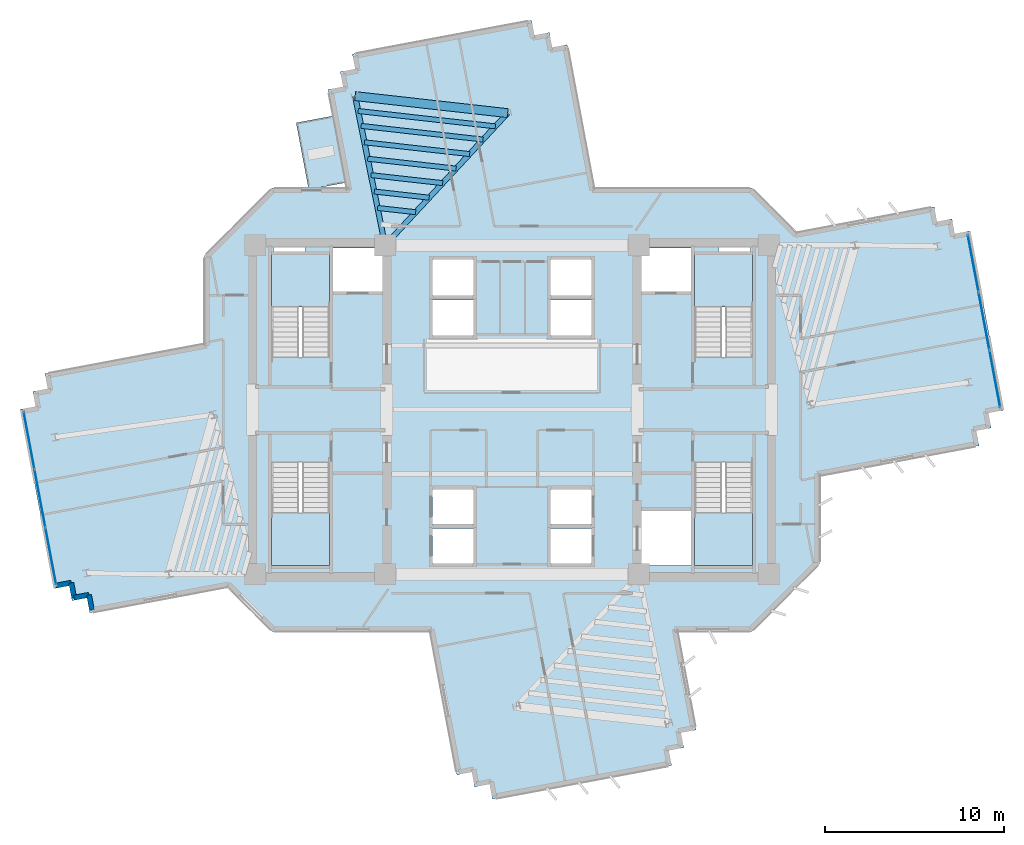
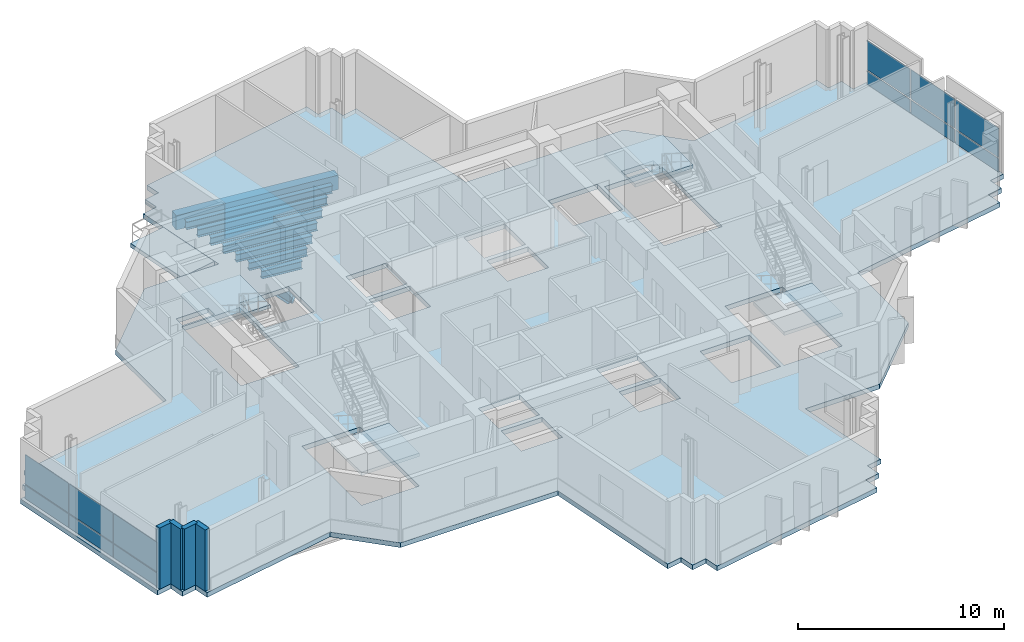
# One storey, part 7 of 16: 12 plates, 10 beams, 6 slabs, 4 walls, 6 elements without a shape of their own.
"""IFC4 building model written with IfcOpenShell, lengths in metres."""

from ifc_helpers import new_model, si_unit, direction, frame, frame_2d, origin, origin_2d, place, context, subcontext, project, spatial, polyline, rectangle, i_section, outline, extrude, source, transform, mapped, material, layer, layer_set, material_profile, profile_set, type_object, element, aggregate, save


model = new_model("IFC4")

# Units and contexts
model_context = context("Model", 3, precision=1e-05, world=origin(), true_north=direction((0.0, 1.0)))
body_context = subcontext(model_context, "Body", "Model", "MODEL_VIEW")
ifc_project = project(units=[si_unit("LENGTHUNIT", "METRE"), si_unit("AREAUNIT", "SQUARE_METRE"), si_unit("VOLUMEUNIT", "CUBIC_METRE"), si_unit("PLANEANGLEUNIT", "RADIAN"), si_unit("MASSUNIT", "GRAM", prefix="KILO")], contexts=[model_context])

# Site, building, storey
site_placement = place(None, origin())
site = spatial("IfcSite", under=ifc_project, at=site_placement, CompositionType="ELEMENT")
building_placement = place(site_placement, origin())
building = spatial("IfcBuilding", under=site, at=building_placement, Name="Zahravan Cultural Tower", CompositionType="ELEMENT")
storey_placement = place(building_placement, frame((0.0, 0.0, 155.10009765625)))
storey = spatial("IfcBuildingStorey", under=building, at=storey_placement, Name="L35", CompositionType="ELEMENT", Elevation=155.10009765625)

# Beams
ifc_material_1 = material(Name="Concrete C50/60", Category="concrete")
ifc_material_profile_1 = material_profile(ifc_material_1, rectangle(XDim=0.5, YDim=0.85009765625, at=origin_2d()), Name="RC500X850")
ifc_profile_set_1 = profile_set([ifc_material_profile_1], Name="Concrete C50/60")
beam_type_1 = type_object("IfcBeamType", Name="BM-SP-RC500X850", PredefinedType="SPANDREL", material=ifc_profile_set_1)
shared_shape_1 = source(origin(), body_context, "Body", "SweptSolid", [
    extrude(rectangle(XDim=0.5, YDim=0.85009765625, at=origin_2d()), origin(), (0.0, 0.0, 1.0), 8.579833984375),
])
beam_1_placement = place(storey_placement, frame((35.754638671875, 43.587646484375, -0.705078125), z_axis=(-0.9938040105, 0.11114669907, 0.0), x_axis=(-0.11114669907, -0.9938040105, 0.0)))
element("IfcBeam", 1, at=beam_1_placement, inside=storey, type_object=beam_type_1, Name="L35 Beam SP-L35-22", PredefinedType="SPANDREL", context=body_context, shape_type="MappedRepresentation", body=[
    mapped(shared_shape_1, transform((0.0, 0.0, 0.0), x_axis=(1.0, 0.0, 0.0), y_axis=(0.0, 1.0, 0.0), z_axis=(0.0, 0.0, 1.0), scale=1.0)),
])
ifc_material_2 = material(Name="Steel ASTM A992 Grade 50", Category="steel")
ifc_material_profile_2 = material_profile(ifc_material_2, i_section(OverallWidth=0.29296875, OverallDepth=0.845947265625, WebThickness=0.015380859375, FlangeThickness=0.0244140625, FilletRadius=0.02001953125, at=origin_2d()), Name="W33X141")
ifc_profile_set_2 = profile_set([ifc_material_profile_2], Name="Steel ASTM A992 Grade 50")
beam_type_2 = type_object("IfcBeamType", Name="BM-G-W33X141", PredefinedType="BEAM", material=ifc_profile_set_2)
shared_shape_2 = source(origin(), body_context, "Body", "SweptSolid", [
    extrude(i_section(OverallWidth=0.29296875, OverallDepth=0.845947265625, WebThickness=0.015380859375, FlangeThickness=0.0244140625, FilletRadius=0.02001953125, at=origin_2d()), origin(), (0.0, 0.0, 1.0), 10.077880859375),
])
beam_2_placement = place(storey_placement, frame((28.89990234375, 36.199951171875, -0.703125), z_axis=(0.680170435587, 0.733054007938, 0.0), x_axis=(-0.733054007938, 0.680170435587, 0.0)))
element("IfcBeam", 2, at=beam_2_placement, inside=storey, type_object=beam_type_2, Name="L35 Beam BG-L35-13", PredefinedType="BEAM", context=body_context, shape_type="MappedRepresentation", body=[
    mapped(shared_shape_2, transform((0.0, 0.0, 0.0), x_axis=(1.0, 0.0, 0.0), y_axis=(0.0, 1.0, 0.0), z_axis=(0.0, 0.0, 1.0), scale=1.0)),
])
shared_shape_3 = source(origin(), body_context, "Body", "SweptSolid", [
    extrude(i_section(OverallWidth=0.29296875, OverallDepth=0.845947265625, WebThickness=0.015380859375, FlangeThickness=0.0244140625, FilletRadius=0.02001953125, at=origin_2d()), origin(), (0.0, 0.0, 1.0), 8.50732421875),
])
beam_3_placement = place(storey_placement, frame((28.89990234375, 36.199951171875, -0.703125), z_axis=(-0.196524514012, 0.980498911469, 0.0), x_axis=(-0.980498911469, -0.196524514012, 0.0)))
element("IfcBeam", 3, at=beam_3_placement, inside=storey, type_object=beam_type_2, Name="L35 Beam BG-L35-14", PredefinedType="BEAM", context=body_context, shape_type="MappedRepresentation", body=[
    mapped(shared_shape_3, transform((0.0, 0.0, 0.0), x_axis=(1.0, 0.0, 0.0), y_axis=(0.0, 1.0, 0.0), z_axis=(0.0, 0.0, 1.0), scale=1.0)),
])
ifc_material_profile_3 = material_profile(ifc_material_2, i_section(OverallWidth=0.280029296875, OverallDepth=0.462890625, WebThickness=0.0107421875, FlangeThickness=0.017333984375, FilletRadius=0.012939453125, at=origin_2d()), Name="W18X76")
ifc_profile_set_3 = profile_set([ifc_material_profile_3], Name="Steel ASTM A992 Grade 50")
beam_type_3 = type_object("IfcBeamType", Name="BM-J-W18X76", PredefinedType="JOIST", material=ifc_profile_set_3)
shared_shape_4 = source(origin(), body_context, "Body", "SweptSolid", [
    extrude(i_section(OverallWidth=0.280029296875, OverallDepth=0.462890625, WebThickness=0.0107421875, FlangeThickness=0.017333984375, FilletRadius=0.012939453125, at=origin_2d()), origin(), (0.0, 0.0, 1.0), 2.144775390625),
])
beam_4_placement = place(storey_placement, frame((30.613525390625, 38.046875, -0.51171875), z_axis=(-0.993797370806, 0.111206051, 0.0), x_axis=(-0.111206051, -0.993797370806, 0.0)))
element("IfcBeam", 4, at=beam_4_placement, inside=storey, type_object=beam_type_3, Name="L35 Beam BJ-L35-51", PredefinedType="JOIST", context=body_context, shape_type="MappedRepresentation", body=[
    mapped(shared_shape_4, transform((0.0, 0.0, 0.0), x_axis=(1.0, 0.0, 0.0), y_axis=(0.0, 1.0, 0.0), z_axis=(0.0, 0.0, 1.0), scale=1.0)),
])
shared_shape_5 = source(origin(), body_context, "Body", "SweptSolid", [
    extrude(i_section(OverallWidth=0.280029296875, OverallDepth=0.462890625, WebThickness=0.0107421875, FlangeThickness=0.017333984375, FilletRadius=0.012939453125, at=origin_2d()), origin(), (0.0, 0.0, 1.0), 3.088623046875),
])
beam_5_placement = place(storey_placement, frame((31.36767578125, 38.859619140625, -0.51171875), z_axis=(-0.993805407368, 0.111134208443, 0.0), x_axis=(-0.111134208443, -0.993805407368, 0.0)))
element("IfcBeam", 5, at=beam_5_placement, inside=storey, type_object=beam_type_3, Name="L35 Beam BJ-L35-52", PredefinedType="JOIST", context=body_context, shape_type="MappedRepresentation", body=[
    mapped(shared_shape_5, transform((0.0, 0.0, 0.0), x_axis=(1.0, 0.0, 0.0), y_axis=(0.0, 1.0, 0.0), z_axis=(0.0, 0.0, 1.0), scale=1.0)),
])
shared_shape_6 = source(origin(), body_context, "Body", "SweptSolid", [
    extrude(i_section(OverallWidth=0.280029296875, OverallDepth=0.462890625, WebThickness=0.0107421875, FlangeThickness=0.017333984375, FilletRadius=0.012939453125, at=origin_2d()), origin(), (0.0, 0.0, 1.0), 4.0322265625),
])
beam_6_placement = place(storey_placement, frame((32.12158203125, 39.672119140625, -0.51171875), z_axis=(-0.993802245601, 0.11116247855, 0.0), x_axis=(-0.11116247855, -0.993802245601, 0.0)))
element("IfcBeam", 6, at=beam_6_placement, inside=storey, type_object=beam_type_3, Name="L35 Beam BJ-L35-53", PredefinedType="JOIST", context=body_context, shape_type="MappedRepresentation", body=[
    mapped(shared_shape_6, transform((0.0, 0.0, 0.0), x_axis=(1.0, 0.0, 0.0), y_axis=(0.0, 1.0, 0.0), z_axis=(0.0, 0.0, 1.0), scale=1.0)),
])
shared_shape_7 = source(origin(), body_context, "Body", "SweptSolid", [
    extrude(i_section(OverallWidth=0.280029296875, OverallDepth=0.462890625, WebThickness=0.0107421875, FlangeThickness=0.017333984375, FilletRadius=0.012939453125, at=origin_2d()), origin(), (0.0, 0.0, 1.0), 4.97607421875),
])
beam_7_placement = place(storey_placement, frame((32.875732421875, 40.48486328125, -0.51171875), z_axis=(-0.993806308517, 0.111126149723, 0.0), x_axis=(-0.111126149723, -0.993806308517, 0.0)))
element("IfcBeam", 7, at=beam_7_placement, inside=storey, type_object=beam_type_3, Name="L35 Beam BJ-L35-54", PredefinedType="JOIST", context=body_context, shape_type="MappedRepresentation", body=[
    mapped(shared_shape_7, transform((0.0, 0.0, 0.0), x_axis=(1.0, 0.0, 0.0), y_axis=(0.0, 1.0, 0.0), z_axis=(0.0, 0.0, 1.0), scale=1.0)),
])
shared_shape_8 = source(origin(), body_context, "Body", "SweptSolid", [
    extrude(i_section(OverallWidth=0.280029296875, OverallDepth=0.462890625, WebThickness=0.0107421875, FlangeThickness=0.017333984375, FilletRadius=0.012939453125, at=origin_2d()), origin(), (0.0, 0.0, 1.0), 5.919921875),
])
beam_8_placement = place(storey_placement, frame((33.629638671875, 41.29736328125, -0.51171875), z_axis=(-0.993804520866, 0.111142135602, 0.0), x_axis=(-0.111142135602, -0.993804520866, 0.0)))
element("IfcBeam", 8, at=beam_8_placement, inside=storey, type_object=beam_type_3, Name="L35 Beam BJ-L35-55", PredefinedType="JOIST", context=body_context, shape_type="MappedRepresentation", body=[
    mapped(shared_shape_8, transform((0.0, 0.0, 0.0), x_axis=(1.0, 0.0, 0.0), y_axis=(0.0, 1.0, 0.0), z_axis=(0.0, 0.0, 1.0), scale=1.0)),
])
shared_shape_9 = source(origin(), body_context, "Body", "SweptSolid", [
    extrude(i_section(OverallWidth=0.280029296875, OverallDepth=0.462890625, WebThickness=0.0107421875, FlangeThickness=0.017333984375, FilletRadius=0.012939453125, at=origin_2d()), origin(), (0.0, 0.0, 1.0), 6.86376953125),
])
beam_9_placement = place(storey_placement, frame((34.3837890625, 42.110107421875, -0.51171875), z_axis=(-0.993803224695, 0.111153725024, 0.0), x_axis=(-0.111153725024, -0.993803224695, 0.0)))
element("IfcBeam", 9, at=beam_9_placement, inside=storey, type_object=beam_type_3, Name="L35 Beam BJ-L35-56", PredefinedType="JOIST", context=body_context, shape_type="MappedRepresentation", body=[
    mapped(shared_shape_9, transform((0.0, 0.0, 0.0), x_axis=(1.0, 0.0, 0.0), y_axis=(0.0, 1.0, 0.0), z_axis=(0.0, 0.0, 1.0), scale=1.0)),
])
shared_shape_10 = source(origin(), body_context, "Body", "SweptSolid", [
    extrude(i_section(OverallWidth=0.280029296875, OverallDepth=0.462890625, WebThickness=0.0107421875, FlangeThickness=0.017333984375, FilletRadius=0.012939453125, at=origin_2d()), origin(), (0.0, 0.0, 1.0), 7.7216796875),
])
beam_10_placement = place(storey_placement, frame((35.069091796875, 42.848876953125, -0.51171875), z_axis=(-0.993805212115, 0.11113595446, 0.0), x_axis=(-0.11113595446, -0.993805212115, 0.0)))
element("IfcBeam", 10, at=beam_10_placement, inside=storey, type_object=beam_type_3, Name="L35 Beam BJ-L35-57", PredefinedType="JOIST", context=body_context, shape_type="MappedRepresentation", body=[
    mapped(shared_shape_10, transform((0.0, 0.0, 0.0), x_axis=(1.0, 0.0, 0.0), y_axis=(0.0, 1.0, 0.0), z_axis=(0.0, 0.0, 1.0), scale=1.0)),
])

# Slab
ifc_material_3 = material(Name="Concrete C45/55", Category="concrete")
ifc_layer_1 = layer(ifc_material_3, 0.280029296875)
ifc_layer_set_1 = layer_set([ifc_layer_1], Name="Concrete C45/55")
slab_type_1 = type_object("IfcSlabType", Name="SL-LIB-280", PredefinedType="FLOOR", material=ifc_layer_set_1)
slab_1_placement = place(storey_placement, frame((0.0, 0.0, -0.280029296875)))
element("IfcSlab", 11, at=slab_1_placement, inside=storey, type_object=slab_type_1, Name="L35 Structural Floor Slab", PredefinedType="FLOOR", context=body_context, shape_type="SweptSolid", body=[
    extrude(outline(polyline([(51.89501953125, 36.905029296875), (49.39990234375, 39.39990234375), (40.58935546875, 39.39990234375), (39.082763671875, 47.42041015625), (38.247314453125, 47.26318359375), (38.09033203125, 48.0986328125), (37.2548828125, 47.94189453125), (37.097900390625, 48.777099609375), (27.073486328125, 46.893798828125), (27.230224609375, 46.05859375), (26.39501953125, 45.901611328125), (26.552001953125, 45.066162109375), (25.716552734375, 44.9091796875), (26.75146484375, 39.39990234375), (22.60009765625, 39.39990234375), (18.800048828125, 35.60009765625), (18.800048828125, 30.687744140625), (9.87939453125, 29.01171875), (10.036376953125, 28.176513671875), (9.200927734375, 28.019287109375), (9.35791015625, 27.18408203125), (8.522705078125, 27.027099609375), (10.406005859375, 17.00244140625), (11.2412109375, 17.159423828125), (11.398193359375, 16.323974609375), (12.233642578125, 16.48095703125), (12.390380859375, 15.6455078125), (20.10498046875, 17.094970703125), (22.60009765625, 14.60009765625), (31.41064453125, 14.60009765625), (32.917236328125, 6.57958984375), (33.752685546875, 6.73681640625), (33.90966796875, 5.9013671875), (34.7451171875, 6.05810546875), (34.902099609375, 5.222900390625), (44.926513671875, 7.106201171875), (44.769775390625, 7.94140625), (45.60498046875, 8.098388671875), (45.447998046875, 8.933837890625), (46.283447265625, 9.0908203125), (45.24853515625, 14.60009765625), (49.39990234375, 14.60009765625), (53.199951171875, 18.39990234375), (53.199951171875, 23.312255859375), (62.12060546875, 24.98828125), (61.963623046875, 25.823486328125), (62.799072265625, 25.980712890625), (62.64208984375, 26.81591796875), (63.477294921875, 26.972900390625), (61.593994140625, 36.99755859375), (60.7587890625, 36.840576171875), (60.601806640625, 37.676025390625), (59.766357421875, 37.51904296875), (59.609619140625, 38.3544921875), (51.89501953125, 36.905029296875)]), holes=[polyline([(22.550048828125, 29.949951171875), (22.550048828125, 35.699951171875), (25.800048828125, 35.699951171875), (25.800048828125, 29.949951171875), (22.550048828125, 29.949951171875)]), polyline([(22.550048828125, 18.300048828125), (22.550048828125, 24.050048828125), (25.800048828125, 24.050048828125), (25.800048828125, 18.300048828125), (22.550048828125, 18.300048828125)]), polyline([(46.199951171875, 29.949951171875), (46.199951171875, 35.699951171875), (49.449951171875, 35.699951171875), (49.449951171875, 29.949951171875), (46.199951171875, 29.949951171875)]), polyline([(46.199951171875, 18.300048828125), (46.199951171875, 24.050048828125), (49.449951171875, 24.050048828125), (49.449951171875, 18.300048828125), (46.199951171875, 18.300048828125)]), polyline([(26.0, 33.60009765625), (26.0, 36.050048828125), (28.75, 36.050048828125), (28.75, 33.60009765625), (26.0, 33.60009765625)]), polyline([(43.25, 33.60009765625), (43.25, 36.050048828125), (46.0, 36.050048828125), (46.0, 33.60009765625), (43.25, 33.60009765625)]), polyline([(43.25, 18.300048828125), (43.25, 21.35009765625), (46.0, 21.35009765625), (46.0, 18.300048828125), (43.25, 18.300048828125)]), polyline([(31.550048828125, 33.39990234375), (31.550048828125, 35.39990234375), (33.85009765625, 35.39990234375), (33.85009765625, 33.39990234375), (31.550048828125, 33.39990234375)]), polyline([(31.550048828125, 31.14990234375), (31.550048828125, 33.14990234375), (33.85009765625, 33.14990234375), (33.85009765625, 31.14990234375), (31.550048828125, 31.14990234375)]), polyline([(38.14990234375, 33.39990234375), (38.14990234375, 35.39990234375), (40.449951171875, 35.39990234375), (40.449951171875, 33.39990234375), (38.14990234375, 33.39990234375)]), polyline([(38.14990234375, 31.14990234375), (38.14990234375, 33.14990234375), (40.449951171875, 33.14990234375), (40.449951171875, 31.14990234375), (38.14990234375, 31.14990234375)]), polyline([(31.550048828125, 20.60009765625), (31.550048828125, 22.550048828125), (33.85009765625, 22.550048828125), (33.85009765625, 20.60009765625), (31.550048828125, 20.60009765625)]), polyline([(31.550048828125, 18.39990234375), (31.550048828125, 20.35009765625), (33.85009765625, 20.35009765625), (33.85009765625, 18.39990234375), (31.550048828125, 18.39990234375)]), polyline([(38.14990234375, 20.60009765625), (38.14990234375, 22.550048828125), (40.449951171875, 22.550048828125), (40.449951171875, 20.60009765625), (38.14990234375, 20.60009765625)]), polyline([(38.14990234375, 18.39990234375), (38.14990234375, 20.35009765625), (40.449951171875, 20.35009765625), (40.449951171875, 18.39990234375), (38.14990234375, 18.39990234375)]), polyline([(22.64990234375, 35.800048828125), (22.64990234375, 36.419921875), (24.449951171875, 36.419921875), (24.449951171875, 35.800048828125), (22.64990234375, 35.800048828125)]), polyline([(47.550048828125, 35.800048828125), (47.550048828125, 36.419921875), (49.35009765625, 36.419921875), (49.35009765625, 35.800048828125), (47.550048828125, 35.800048828125)])]), origin(), (0.0, 0.0, 1.0), 0.280029296875),
])

# Stair, slab
stair_type = type_object("IfcStairType", Name="STR-DL-1550-390", PredefinedType="HALF_TURN_STAIR", material=ifc_material_3)
stair_1_placement = place(storey_placement, origin())
stair_1 = element("IfcStair", 12, at=stair_1_placement, inside=storey, type_object=stair_type, Name="L35 West Core North Exit Stair ST-W1", PredefinedType="HALF_TURN_STAIR")
ifc_layer_2 = layer(ifc_material_3, 0.199951171875)
ifc_layer_set_2 = layer_set([ifc_layer_2], Name="Concrete C45/55")
slab_type_2 = type_object("IfcSlabType", Name="SL-STAIR-LND200", PredefinedType="LANDING", material=ifc_layer_set_2)
slab_2_placement = place(storey_placement, frame((0.0, 0.0, 1.75)))
slab_2 = element("IfcSlab", 13, at=slab_2_placement, type_object=slab_type_2, Name="ST-W1 landing 1", PredefinedType="LANDING", context=body_context, shape_type="SweptSolid", body=[
    extrude(outline(polyline([(25.800048828125, 32.75), (25.800048828125, 35.699951171875), (22.550048828125, 35.699951171875), (22.550048828125, 32.75), (25.800048828125, 32.75)])), origin(), (0.0, 0.0, 1.0), 0.199951171875),
])
aggregate(stair_1, [slab_2])

stair_2_placement = place(storey_placement, origin())
stair_2 = element("IfcStair", 14, at=stair_2_placement, inside=storey, type_object=stair_type, Name="L35 West Core South Exit Stair ST-W2", PredefinedType="HALF_TURN_STAIR")
slab_3_placement = place(storey_placement, frame((0.0, 0.0, 1.75)))
slab_3 = element("IfcSlab", 15, at=slab_3_placement, type_object=slab_type_2, Name="ST-W2 landing 1", PredefinedType="LANDING", context=body_context, shape_type="SweptSolid", body=[
    extrude(outline(polyline([(22.550048828125, 21.25), (22.550048828125, 18.300048828125), (25.800048828125, 18.300048828125), (25.800048828125, 21.25), (22.550048828125, 21.25)])), origin(), (0.0, 0.0, 1.0), 0.199951171875),
])
aggregate(stair_2, [slab_3])

stair_3_placement = place(storey_placement, origin())
stair_3 = element("IfcStair", 16, at=stair_3_placement, inside=storey, type_object=stair_type, Name="L35 East Core North Exit Stair ST-E1", PredefinedType="HALF_TURN_STAIR")
slab_4_placement = place(storey_placement, frame((0.0, 0.0, 1.75)))
slab_4 = element("IfcSlab", 17, at=slab_4_placement, type_object=slab_type_2, Name="ST-E1 landing 1", PredefinedType="LANDING", context=body_context, shape_type="SweptSolid", body=[
    extrude(outline(polyline([(49.449951171875, 32.75), (49.449951171875, 35.699951171875), (46.199951171875, 35.699951171875), (46.199951171875, 32.75), (49.449951171875, 32.75)])), origin(), (0.0, 0.0, 1.0), 0.199951171875),
])
aggregate(stair_3, [slab_4])

stair_4_placement = place(storey_placement, origin())
stair_4 = element("IfcStair", 18, at=stair_4_placement, inside=storey, type_object=stair_type, Name="L35 East Core South Exit Stair ST-E2", PredefinedType="HALF_TURN_STAIR")
slab_5_placement = place(storey_placement, frame((0.0, 0.0, 1.75)))
slab_5 = element("IfcSlab", 19, at=slab_5_placement, type_object=slab_type_2, Name="ST-E2 landing 1", PredefinedType="LANDING", context=body_context, shape_type="SweptSolid", body=[
    extrude(outline(polyline([(46.199951171875, 21.25), (46.199951171875, 18.300048828125), (49.449951171875, 18.300048828125), (49.449951171875, 21.25), (46.199951171875, 21.25)])), origin(), (0.0, 0.0, 1.0), 0.199951171875),
])
aggregate(stair_4, [slab_5])

# Slab
ifc_material_4 = material(Name="Concrete C40/50", Category="concrete")
ifc_layer_3 = layer(ifc_material_4, 0.239990234375)
ifc_layer_set_3 = layer_set([ifc_layer_3], Name="Concrete C40/50")
slab_type_3 = type_object("IfcSlabType", Name="SL-TERR-240", PredefinedType="FLOOR", material=ifc_layer_set_3)
slab_6_placement = place(storey_placement, frame((0.0, 0.0, -0.239990234375)))
element("IfcSlab", 20, at=slab_6_placement, inside=storey, type_object=slab_type_3, Name="L35 Planted Sculpture Terrace NW", PredefinedType="FLOOR", context=body_context, shape_type="SweptSolid", body=[
    extrude(outline(polyline([(23.929443359375, 43.047119140625), (24.61376953125, 39.405029296875), (25.123046875, 39.405029296875), (26.690185546875, 39.699462890625), (25.988525390625, 43.43408203125), (23.929443359375, 43.047119140625)])), origin(), (0.0, 0.0, 1.0), 0.239990234375),
])

# Curtain wall, plates
ifc_material_5 = material(Name="Anodised bronze-aluminium mullion", Category="aluminium")
ifc_layer_4 = layer(ifc_material_5, 0.179931640625)
ifc_layer_set_4 = layer_set([ifc_layer_4], Name="Anodised bronze-aluminium mullion")
curtain_wall_type_1 = type_object("IfcCurtainWallType", Name="CW-SYS-3", PredefinedType="USERDEFINED", material=ifc_layer_set_4)
curtain_wall_1_placement = place(storey_placement, origin())
curtain_wall_1 = element("IfcCurtainWall", 21, at=curtain_wall_1_placement, inside=storey, type_object=curtain_wall_type_1, Name="L35 Recessed Curtain Wall CW-3.1", ObjectType="RECESSED GLAZING", PredefinedType="USERDEFINED")
ifc_material_6 = material(Name="Low-E solar-control double glazing", Category="glass")
ifc_layer_5 = layer(ifc_material_6, 0.028076171875)
ifc_layer_set_5 = layer_set([ifc_layer_5], Name="Low-E solar-control double glazing")
plate_type_1 = type_object("IfcPlateType", Name="CWP-CW-3", PredefinedType="CURTAIN_PANEL", material=ifc_layer_set_5)
shared_shape_11 = source(origin(), body_context, "Body", "SweptSolid", [
    extrude(rectangle(XDim=3.20166015625, YDim=0.028076171875, at=origin_2d()), origin(), (0.0, 0.0, 1.0), 0.794921875),
])
plate_1_placement = place(storey_placement, frame((61.791015625, 35.19189453125, 0.06982421875), z_axis=(0.0, 0.0, 1.0), x_axis=(0.184637885835, -0.982806619389, 0.0)))
plate_1 = element("IfcPlate", 22, at=plate_1_placement, type_object=plate_type_1, Name="CW-3 panel 1.1", PredefinedType="CURTAIN_PANEL", context=body_context, shape_type="MappedRepresentation", body=[
    mapped(shared_shape_11, transform((0.0, 0.0, 0.0), x_axis=(1.0, 0.0, 0.0), y_axis=(0.0, 1.0, 0.0), z_axis=(0.0, 0.0, 1.0), scale=1.0)),
])
plate_2_placement = place(storey_placement, frame((63.005615234375, 28.726806640625, 0.06982421875), z_axis=(0.0, 0.0, 1.0), x_axis=(0.184637885835, -0.982806619389, 0.0)))
plate_2 = element("IfcPlate", 23, at=plate_2_placement, type_object=plate_type_1, Name="CW-3 panel 3.1", PredefinedType="CURTAIN_PANEL", context=body_context, shape_type="MappedRepresentation", body=[
    mapped(shared_shape_11, transform((0.0, 0.0, 0.0), x_axis=(1.0, 0.0, 0.0), y_axis=(0.0, 1.0, 0.0), z_axis=(0.0, 0.0, 1.0), scale=1.0)),
])
shared_shape_12 = source(origin(), body_context, "Body", "SweptSolid", [
    extrude(rectangle(XDim=3.20166015625, YDim=0.028076171875, at=origin_2d()), origin(), (0.0, 0.0, 1.0), 1.735107421875),
])
plate_3_placement = place(storey_placement, frame((61.791015625, 35.19189453125, 0.93505859375), z_axis=(0.0, 0.0, 1.0), x_axis=(0.184637885835, -0.982806619389, 0.0)))
plate_3 = element("IfcPlate", 24, at=plate_3_placement, type_object=plate_type_1, Name="CW-3 panel 1.2", PredefinedType="CURTAIN_PANEL", context=body_context, shape_type="MappedRepresentation", body=[
    mapped(shared_shape_12, transform((0.0, 0.0, 0.0), x_axis=(1.0, 0.0, 0.0), y_axis=(0.0, 1.0, 0.0), z_axis=(0.0, 0.0, 1.0), scale=1.0)),
])
plate_4_placement = place(storey_placement, frame((63.005615234375, 28.726806640625, 0.93505859375), z_axis=(0.0, 0.0, 1.0), x_axis=(0.184637885835, -0.982806619389, 0.0)))
plate_4 = element("IfcPlate", 25, at=plate_4_placement, type_object=plate_type_1, Name="CW-3 panel 3.2", PredefinedType="CURTAIN_PANEL", context=body_context, shape_type="MappedRepresentation", body=[
    mapped(shared_shape_12, transform((0.0, 0.0, 0.0), x_axis=(1.0, 0.0, 0.0), y_axis=(0.0, 1.0, 0.0), z_axis=(0.0, 0.0, 1.0), scale=1.0)),
])
shared_shape_13 = source(origin(), body_context, "Body", "SweptSolid", [
    extrude(rectangle(XDim=3.236572265625, YDim=0.028076171875, at=origin_2d()), origin(), (0.0, 0.0, 1.0), 0.794921875),
])
plate_5_placement = place(storey_placement, frame((62.398193359375, 31.95947265625, 0.06982421875), z_axis=(0.0, 0.0, 1.0), x_axis=(0.184637885835, -0.982806619389, 0.0)))
plate_5 = element("IfcPlate", 26, at=plate_5_placement, type_object=plate_type_1, Name="CW-3 panel 2.1", PredefinedType="CURTAIN_PANEL", context=body_context, shape_type="MappedRepresentation", body=[
    mapped(shared_shape_13, transform((0.0, 0.0, 0.0), x_axis=(1.0, 0.0, 0.0), y_axis=(0.0, 1.0, 0.0), z_axis=(0.0, 0.0, 1.0), scale=1.0)),
])
shared_shape_14 = source(origin(), body_context, "Body", "SweptSolid", [
    extrude(rectangle(XDim=3.236572265625, YDim=0.028076171875, at=origin_2d()), origin(), (0.0, 0.0, 1.0), 1.735107421875),
])
plate_6_placement = place(storey_placement, frame((62.398193359375, 31.95947265625, 0.93505859375), z_axis=(0.0, 0.0, 1.0), x_axis=(0.184637885835, -0.982806619389, 0.0)))
plate_6 = element("IfcPlate", 27, at=plate_6_placement, type_object=plate_type_1, Name="CW-3 panel 2.2", PredefinedType="CURTAIN_PANEL", context=body_context, shape_type="MappedRepresentation", body=[
    mapped(shared_shape_14, transform((0.0, 0.0, 0.0), x_axis=(1.0, 0.0, 0.0), y_axis=(0.0, 1.0, 0.0), z_axis=(0.0, 0.0, 1.0), scale=1.0)),
])
aggregate(curtain_wall_1, [plate_1, plate_3, plate_5, plate_6, plate_2, plate_4])

ifc_layer_6 = layer(ifc_material_5, 0.1650390625)
ifc_layer_set_6 = layer_set([ifc_layer_6], Name="Anodised bronze-aluminium mullion")
curtain_wall_type_2 = type_object("IfcCurtainWallType", Name="CW-SYS-4", PredefinedType="USERDEFINED", material=ifc_layer_set_6)
curtain_wall_2_placement = place(storey_placement, origin())
curtain_wall_2 = element("IfcCurtainWall", 28, at=curtain_wall_2_placement, inside=storey, type_object=curtain_wall_type_2, Name="L35 Recessed Curtain Wall CW-4.2", ObjectType="RECESSED GLAZING", PredefinedType="USERDEFINED")
ifc_layer_7 = layer(ifc_material_6, 0.02587890625)
ifc_layer_set_7 = layer_set([ifc_layer_7], Name="Low-E solar-control double glazing")
plate_type_2 = type_object("IfcPlateType", Name="CWP-CW-4", PredefinedType="CURTAIN_PANEL", material=ifc_layer_set_7)
shared_shape_15 = source(origin(), body_context, "Body", "SweptSolid", [
    extrude(rectangle(XDim=3.209228515625, YDim=0.02587890625, at=origin_2d()), origin(), (0.0, 0.0, 1.0), 0.802490234375),
])
plate_7_placement = place(storey_placement, frame((10.209228515625, 18.806884765625, 0.06494140625), z_axis=(0.0, 0.0, 1.0), x_axis=(-0.184637885835, 0.982806619389, 0.0)))
plate_7 = element("IfcPlate", 29, at=plate_7_placement, type_object=plate_type_2, Name="CW-4 panel 1.1", PredefinedType="CURTAIN_PANEL", context=body_context, shape_type="MappedRepresentation", body=[
    mapped(shared_shape_15, transform((0.0, 0.0, 0.0), x_axis=(1.0, 0.0, 0.0), y_axis=(0.0, 1.0, 0.0), z_axis=(0.0, 0.0, 1.0), scale=1.0)),
])
plate_8_placement = place(storey_placement, frame((8.994384765625, 25.2744140625, 0.06494140625), z_axis=(0.0, 0.0, 1.0), x_axis=(-0.184637885835, 0.982806619389, 0.0)))
plate_8 = element("IfcPlate", 30, at=plate_8_placement, type_object=plate_type_2, Name="CW-4 panel 3.1", PredefinedType="CURTAIN_PANEL", context=body_context, shape_type="MappedRepresentation", body=[
    mapped(shared_shape_15, transform((0.0, 0.0, 0.0), x_axis=(1.0, 0.0, 0.0), y_axis=(0.0, 1.0, 0.0), z_axis=(0.0, 0.0, 1.0), scale=1.0)),
])
shared_shape_16 = source(origin(), body_context, "Body", "SweptSolid", [
    extrude(rectangle(XDim=3.209228515625, YDim=0.02587890625, at=origin_2d()), origin(), (0.0, 0.0, 1.0), 1.742431640625),
])
plate_9_placement = place(storey_placement, frame((10.209228515625, 18.806884765625, 0.9326171875), z_axis=(0.0, 0.0, 1.0), x_axis=(-0.184637885835, 0.982806619389, 0.0)))
plate_9 = element("IfcPlate", 31, at=plate_9_placement, type_object=plate_type_2, Name="CW-4 panel 1.2", PredefinedType="CURTAIN_PANEL", context=body_context, shape_type="MappedRepresentation", body=[
    mapped(shared_shape_16, transform((0.0, 0.0, 0.0), x_axis=(1.0, 0.0, 0.0), y_axis=(0.0, 1.0, 0.0), z_axis=(0.0, 0.0, 1.0), scale=1.0)),
])
plate_10_placement = place(storey_placement, frame((8.994384765625, 25.2744140625, 0.9326171875), z_axis=(0.0, 0.0, 1.0), x_axis=(-0.184637885835, 0.982806619389, 0.0)))
plate_10 = element("IfcPlate", 32, at=plate_10_placement, type_object=plate_type_2, Name="CW-4 panel 3.2", PredefinedType="CURTAIN_PANEL", context=body_context, shape_type="MappedRepresentation", body=[
    mapped(shared_shape_16, transform((0.0, 0.0, 0.0), x_axis=(1.0, 0.0, 0.0), y_axis=(0.0, 1.0, 0.0), z_axis=(0.0, 0.0, 1.0), scale=1.0)),
])
shared_shape_17 = source(origin(), body_context, "Body", "SweptSolid", [
    extrude(rectangle(XDim=3.24169921875, YDim=0.02587890625, at=origin_2d()), origin(), (0.0, 0.0, 1.0), 0.802490234375),
])
plate_11_placement = place(storey_placement, frame((9.601806640625, 22.04052734375, 0.06494140625), z_axis=(0.0, 0.0, 1.0), x_axis=(-0.184637885835, 0.982806619389, 0.0)))
plate_11 = element("IfcPlate", 33, at=plate_11_placement, type_object=plate_type_2, Name="CW-4 panel 2.1", PredefinedType="CURTAIN_PANEL", context=body_context, shape_type="MappedRepresentation", body=[
    mapped(shared_shape_17, transform((0.0, 0.0, 0.0), x_axis=(1.0, 0.0, 0.0), y_axis=(0.0, 1.0, 0.0), z_axis=(0.0, 0.0, 1.0), scale=1.0)),
])
shared_shape_18 = source(origin(), body_context, "Body", "SweptSolid", [
    extrude(rectangle(XDim=3.24169921875, YDim=0.02587890625, at=origin_2d()), origin(), (0.0, 0.0, 1.0), 1.742431640625),
])
plate_12_placement = place(storey_placement, frame((9.601806640625, 22.04052734375, 0.9326171875), z_axis=(0.0, 0.0, 1.0), x_axis=(-0.184637885835, 0.982806619389, 0.0)))
plate_12 = element("IfcPlate", 34, at=plate_12_placement, type_object=plate_type_2, Name="CW-4 panel 2.2", PredefinedType="CURTAIN_PANEL", context=body_context, shape_type="MappedRepresentation", body=[
    mapped(shared_shape_18, transform((0.0, 0.0, 0.0), x_axis=(1.0, 0.0, 0.0), y_axis=(0.0, 1.0, 0.0), z_axis=(0.0, 0.0, 1.0), scale=1.0)),
])
aggregate(curtain_wall_2, [plate_7, plate_9, plate_11, plate_12, plate_8, plate_10])

# Walls
ifc_material_7 = material(Name="Precast concrete C40/50", Category="concrete")
ifc_layer_8 = layer(ifc_material_7, 0.280029296875)
ifc_layer_set_8 = layer_set([ifc_layer_8], Name="Precast concrete C40/50")
wall_type = type_object("IfcWallType", Name="EW-TC-280", PredefinedType="SOLIDWALL", material=ifc_layer_set_8)
shared_shape_19 = source(origin(), body_context, "Body", "SweptSolid", [
    extrude(rectangle(XDim=0.85009765625, YDim=0.280029296875, at=frame_2d((0.425048828125, 0.0))), origin(), (0.0, 0.0, 1.0), 3.619873046875),
])
for number, where, z_axis, x_axis, name in (
    (35, (12.502197265625, 15.80908203125, 0.0), (0.0, 0.0, 1.0), (-0.184670010318, 0.982800583684, 0.0), "L35 Exterior Masonry Frame Wall 28"),
    (36, (11.35302734375, 17.32275390625, 0.0), (0.0, 0.0, 1.0), (-0.982852672425, -0.184392582027, 0.0), "L35 Exterior Masonry Frame Wall 31"),
):
    element("IfcWall", number, at=place(storey_placement, frame(where, z_axis=z_axis, x_axis=x_axis)), inside=storey, type_object=wall_type, Name=name, PredefinedType="SOLIDWALL", context=body_context, shape_type="MappedRepresentation", body=[
        mapped(shared_shape_19, transform((0.0, 0.0, 0.0), x_axis=(1.0, 0.0, 0.0), y_axis=(0.0, 1.0, 0.0), z_axis=(0.0, 0.0, 1.0), scale=1.0)),
    ])
shared_shape_20 = source(origin(), body_context, "Body", "SweptSolid", [
    extrude(rectangle(XDim=0.849853515625, YDim=0.280029296875, at=frame_2d((0.4248046875, 0.0))), origin(), (0.0, 0.0, 1.0), 3.619873046875),
])
for number, where, z_axis, x_axis, name in (
    (37, (12.34521484375, 16.64453125, 0.0), (0.0, 0.0, 1.0), (-0.982790785128, -0.184722149909, 0.0), "L35 Exterior Masonry Frame Wall 29"),
    (38, (11.510009765625, 16.487548828125, 0.0), (0.0, 0.0, 1.0), (-0.184722149909, 0.982790785128, 0.0), "L35 Exterior Masonry Frame Wall 30"),
):
    element("IfcWall", number, at=place(storey_placement, frame(where, z_axis=z_axis, x_axis=x_axis)), inside=storey, type_object=wall_type, Name=name, PredefinedType="SOLIDWALL", context=body_context, shape_type="MappedRepresentation", body=[
        mapped(shared_shape_20, transform((0.0, 0.0, 0.0), x_axis=(1.0, 0.0, 0.0), y_axis=(0.0, 1.0, 0.0), z_axis=(0.0, 0.0, 1.0), scale=1.0)),
    ])

save(model, "model.ifc")
